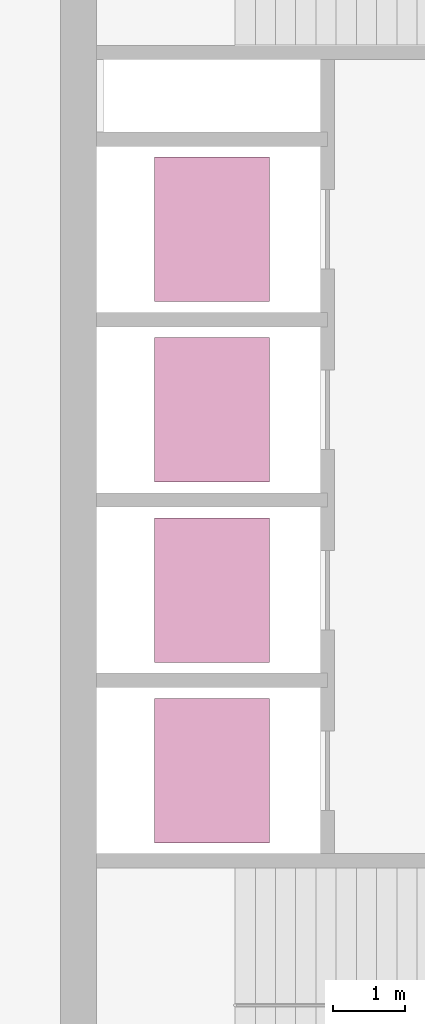
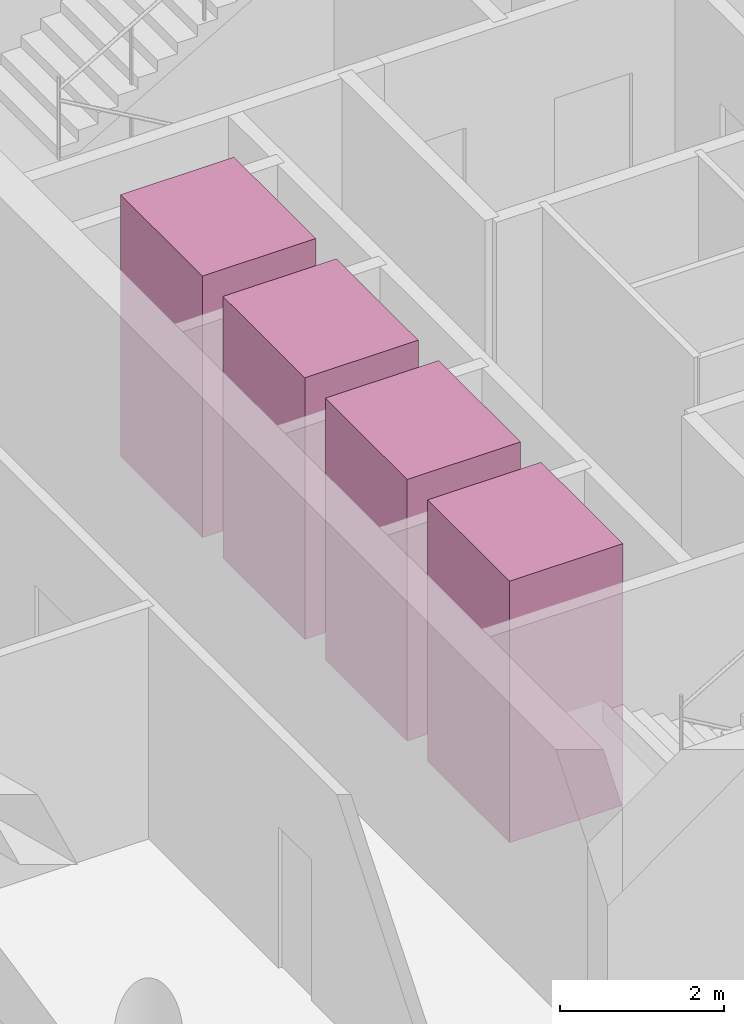
# One storey, part 8 of 8: 4 transport elements.
"""IFC4 building model written with IfcOpenShell, lengths in metres."""

import ifcopenshell
import ifcopenshell.guid

model = None  # the IFC model being written
_history = None  # IfcOwnerHistory: only IFC2X3 demands one
_inside = {}  # id of a spatial element -> (the spatial element, [elements in it])
_under = {}  # id of a project, library or spatial element -> (it, [spatial elements below it])
_declared = {}  # id of a project -> (the project, [libraries it declares])
_typed = {}  # id of a type object -> (the type object, [elements of that type])
_made_of = {}  # id of a material, layer set ... -> (it, [elements and type objects made of it])


def new_model(schema):
    """Start an empty IFC model of exactly this schema.

    Asked for "IFC4X3", IfcOpenShell would pick the latest addendum, in which some entities
    have other attributes; the version numbers below select the first issue.
    IFC2X3 requires an IfcOwnerHistory on every rooted entity: one is made here for all.
    """
    global model, _history
    if schema == "IFC4X3":
        model = ifcopenshell.file(schema_version=(4, 3, 0, 0))
    else:
        model = ifcopenshell.file(schema=schema)
    _inside.clear()
    _under.clear()
    _declared.clear()
    _typed.clear()
    _made_of.clear()
    _history = None
    if model.schema == "IFC2X3":
        org = make("IfcOrganization", Name="unknown")
        user = make(
            "IfcPersonAndOrganization",
            ThePerson=make("IfcPerson", FamilyName="unknown"),
            TheOrganization=org,
        )
        app = make(
            "IfcApplication",
            ApplicationDeveloper=org,
            Version="unknown",
            ApplicationFullName="unknown",
            ApplicationIdentifier="unknown",
        )
        _history = make(
            "IfcOwnerHistory",
            OwningUser=user,
            OwningApplication=app,
            ChangeAction="ADDED",
            CreationDate=0,
        )
    return model


def make(cls, **values):
    """One entity of the class cls with the attributes given. An attribute that is None is left unset."""
    return model.create_entity(
        cls, **{name: value for name, value in values.items() if value is not None}
    )


def rooted(cls, **values):
    """An entity with a GlobalId (a new one), such as an element, a storey or a relation."""
    return make(cls, GlobalId=ifcopenshell.guid.new(), OwnerHistory=_history, **values)


def si_unit(unit_type, name, prefix=None):
    """IfcSIUnit, for example si_unit("LENGTHUNIT", "METRE", prefix="MILLI")."""
    return make("IfcSIUnit", UnitType=unit_type, Prefix=prefix, Name=name)


def assignment(units):
    """IfcUnitAssignment: the units of a project."""
    return None if units is None else make("IfcUnitAssignment", Units=units)


def point(xyz):
    """IfcCartesianPoint."""
    return None if xyz is None else make("IfcCartesianPoint", Coordinates=xyz)


def direction(xyz):
    """IfcDirection."""
    return None if xyz is None else make("IfcDirection", DirectionRatios=xyz)


def frame(location, z_axis=None, x_axis=None):
    """IfcAxis2Placement3D, a coordinate frame: its origin and axes. An axis left out is left unset."""
    return make(
        "IfcAxis2Placement3D",
        Location=point(location),
        Axis=direction(z_axis),
        RefDirection=direction(x_axis),
    )


def frame_2d(location, x_axis=None):
    """IfcAxis2Placement2D, a coordinate frame in the plane: its origin and x axis."""
    return make(
        "IfcAxis2Placement2D", Location=point(location), RefDirection=direction(x_axis)
    )


def origin():
    """The frame at (0, 0, 0) with its axes left unset."""
    return frame((0.0, 0.0, 0.0))


def origin_2d():
    """The frame at (0, 0) in the plane with its x axis left unset."""
    return frame_2d((0.0, 0.0))


def place(relative_to, where):
    """IfcLocalPlacement: puts the frame where relative to a parent placement (None: the world)."""
    return make(
        "IfcLocalPlacement", PlacementRelTo=relative_to, RelativePlacement=where
    )


def context(
    kind, dimensions, precision=None, world=None, true_north=None, identifier=None
):
    """IfcGeometricRepresentationContext, for example the 3D "Model" context."""
    return make(
        "IfcGeometricRepresentationContext",
        ContextIdentifier=identifier,
        ContextType=kind,
        CoordinateSpaceDimension=dimensions,
        Precision=precision,
        WorldCoordinateSystem=world,
        TrueNorth=true_north,
    )


def subcontext(parent, identifier, kind, view, scale=None):
    """IfcGeometricRepresentationSubContext, for example "Body" below "Model"."""
    return make(
        "IfcGeometricRepresentationSubContext",
        ContextIdentifier=identifier,
        ContextType=kind,
        ParentContext=parent,
        TargetScale=scale,
        TargetView=view,
    )


def project(units=None, contexts=None):
    """IfcProject with its units and contexts."""
    return rooted(
        "IfcProject",
        Name="project",
        RepresentationContexts=contexts,
        UnitsInContext=assignment(units),
    )


def spatial(cls, under=None, at=None, **own):
    """A site, building, storey or space (cls), placed at a placement, below another one or the project."""
    s = rooted(cls, ObjectPlacement=at, **own)
    if under is not None:
        _under.setdefault(under.id(), (under, []))[1].append(s)
    return s


def profile(cls, at=None, kind="AREA", **sizes):
    """A parametric profile (cls). Its sizes go by their IFC names, for example OverallWidth=200.0."""
    return make(cls, ProfileType=kind, Position=at, **sizes)


def rectangle(**sizes):
    """IfcRectangleProfileDef."""
    return profile("IfcRectangleProfileDef", **sizes)


def extrude(swept, where, along, depth):
    """IfcExtrudedAreaSolid: the profile swept, set in the frame where, extruded along a direction by depth."""
    return make(
        "IfcExtrudedAreaSolid",
        SweptArea=swept,
        Position=where,
        ExtrudedDirection=direction(along),
        Depth=depth,
    )


def shape(context_of_items, identifier, shape_type, items):
    """IfcShapeRepresentation: the items that make up one representation, for example the "Body"."""
    return make(
        "IfcShapeRepresentation",
        ContextOfItems=context_of_items,
        RepresentationIdentifier=identifier,
        RepresentationType=shape_type,
        Items=items,
    )


def material(Name=None, Category=None):
    """IfcMaterial."""
    return make("IfcMaterial", Name=Name, Category=Category)


def made_of(thing, what):
    """Note that an element or type object is made of a material, layer set ...; save() writes the relation."""
    if what is not None:
        _made_of.setdefault(what.id(), (what, []))[1].append(thing)
    return thing


def type_object(cls, material=None, **own):
    """A type object (cls), such as IfcWallType, which elements share."""
    return made_of(rooted(cls, **own), material)


def element(
    cls,
    number,
    at=None,
    inside=None,
    cuts=None,
    type_object=None,
    material=None,
    context=None,
    identifier="Body",
    shape_type=None,
    held_by="IfcProductDefinitionShape",
    body=None,
    shapes=None,
    **own,
):
    """One element of the class cls, such as IfcWall. Its Tag is "e" and its number.

    at: its placement. inside: the storey or other place that contains it. cuts: it is an
    opening in that element (IfcRelVoidsElement). A single representation is given by context,
    identifier, shape_type and body (its items); several are given by shapes. held_by: the class
    of the entity that holds the representations. save() writes the other relations.
    """
    e = rooted(cls, Tag="e%d" % number, ObjectPlacement=at, **own)
    if body is not None:
        shapes = [shape(context, identifier, shape_type, body)]
    if shapes is not None:
        e.Representation = make(held_by, Representations=shapes)
    if inside is not None:
        _inside.setdefault(inside.id(), (inside, []))[1].append(e)
    if cuts is not None:
        rooted(
            "IfcRelVoidsElement", RelatingBuildingElement=cuts, RelatedOpeningElement=e
        )
    if type_object is not None:
        _typed.setdefault(type_object.id(), (type_object, []))[1].append(e)
    return made_of(e, material)


def aggregate(whole, parts):
    """IfcRelAggregates: a whole, such as a stair, and the parts it consists of."""
    return rooted("IfcRelAggregates", RelatingObject=whole, RelatedObjects=parts)


def save(model, path):
    """Write the relations noted so far, then the file.

    IfcRelAggregates (storeys below a building ...), IfcRelContainedInSpatialStructure (elements
    in a storey), IfcRelDefinesByType, IfcRelAssociatesMaterial and IfcRelDeclares: one each for
    every whole, place, type object, material and project.
    """
    for whole, parts in _under.values():
        aggregate(whole, parts)
    for where, things in _inside.values():
        rooted(
            "IfcRelContainedInSpatialStructure",
            RelatedElements=things,
            RelatingStructure=where,
        )
    for kind, things in _typed.values():
        rooted("IfcRelDefinesByType", RelatedObjects=things, RelatingType=kind)
    for what, things in _made_of.values():
        rooted("IfcRelAssociatesMaterial", RelatedObjects=things, RelatingMaterial=what)
    for by, libraries in _declared.values():
        rooted("IfcRelDeclares", RelatingContext=by, RelatedDefinitions=libraries)
    model.write(path)


model = new_model("IFC4")

# Units and contexts
model_context = context("Model", 3, precision=1e-05, world=origin(), true_north=direction((0.0, 1.0)))
body_context = subcontext(model_context, "Body", "Model", "MODEL_VIEW")
ifc_project = project(units=[si_unit("LENGTHUNIT", "METRE"), si_unit("AREAUNIT", "SQUARE_METRE"), si_unit("VOLUMEUNIT", "CUBIC_METRE"), si_unit("PLANEANGLEUNIT", "RADIAN"), si_unit("MASSUNIT", "GRAM", prefix="KILO")], contexts=[model_context])

# Site, building, storey
site_placement = place(None, origin())
site = spatial("IfcSite", under=ifc_project, at=site_placement, CompositionType="ELEMENT")
building_placement = place(site_placement, origin())
building = spatial("IfcBuilding", under=site, at=building_placement, Name="Qaws Garden Tower", CompositionType="ELEMENT")
storey_placement = place(building_placement, frame((0.0, 0.0, 348.89990234375)))
storey = spatial("IfcBuildingStorey", under=building, at=storey_placement, Name="L85", CompositionType="ELEMENT", Elevation=348.89990234375)

# Transport elements
ifc_material = material(Name="Stainless steel 316", Category="steel")
transport_element_type = type_object("IfcTransportElementType", Name="Passenger lift car 2000x1600 1800 kg", PredefinedType="ELEVATOR", material=ifc_material)
for number, where, z_axis, x_axis, name in (
    (1, (10.10009765625, 13.64990234375, 0.000244140625), (0.0, 0.0, 1.0), (1.0, 0.0, 0.0), "HR1"),
    (2, (10.10009765625, 16.14990234375, 0.000244140625), (0.0, 0.0, 1.0), (1.0, 0.0, 0.0), "HR2"),
    (3, (10.10009765625, 18.64990234375, 0.000244140625), (0.0, 0.0, 1.0), (1.0, 0.0, 0.0), "HR3"),
    (4, (10.10009765625, 21.14990234375, 0.000244140625), (0.0, 0.0, 1.0), (1.0, 0.0, 0.0), "HR4"),
):
    element("IfcTransportElement", number, at=place(storey_placement, frame(where, z_axis=z_axis, x_axis=x_axis)), inside=storey, type_object=transport_element_type, Name=name, PredefinedType="ELEVATOR", context=body_context, shape_type="SweptSolid", body=[
        extrude(rectangle(XDim=1.60009765625, YDim=2.0, at=origin_2d()), origin(), (0.0, 0.0, 1.0), 3.89990234375),
    ])

save(model, "model.ifc")
